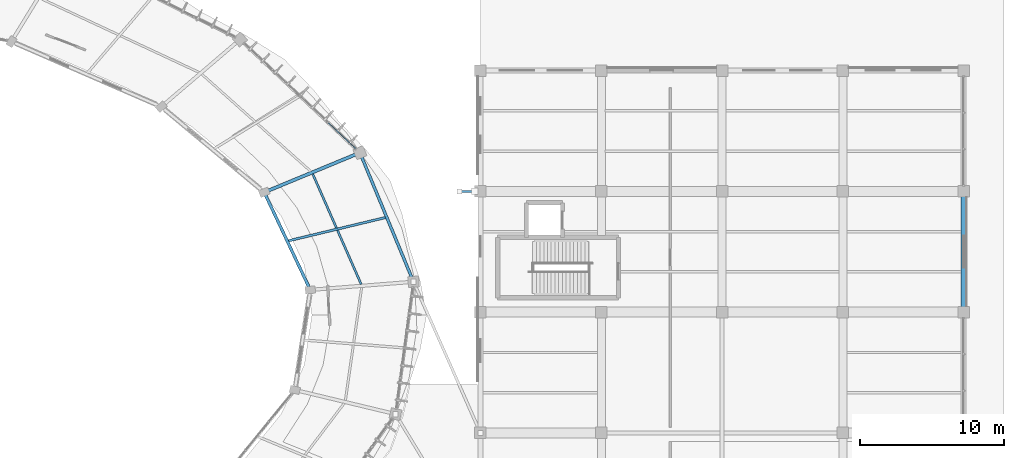
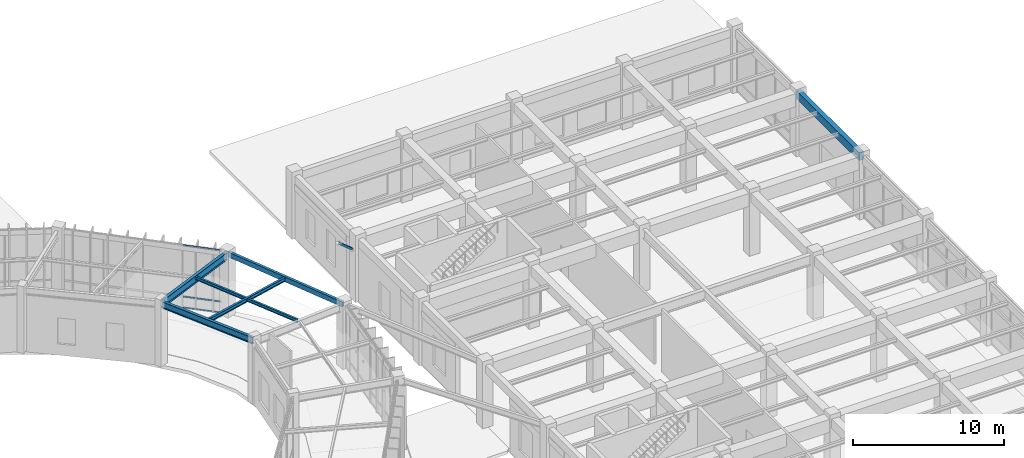
# One storey, part 106 of 157: 6 beams, 4 members, 1 element without a shape of its own.
"""IFC4 building model written with IfcOpenShell, lengths in metres."""

import ifcopenshell
import ifcopenshell.guid

model = None  # the IFC model being written
_history = None  # IfcOwnerHistory: only IFC2X3 demands one
_inside = {}  # id of a spatial element -> (the spatial element, [elements in it])
_under = {}  # id of a project, library or spatial element -> (it, [spatial elements below it])
_declared = {}  # id of a project -> (the project, [libraries it declares])
_typed = {}  # id of a type object -> (the type object, [elements of that type])
_made_of = {}  # id of a material, layer set ... -> (it, [elements and type objects made of it])


def new_model(schema):
    """Start an empty IFC model of exactly this schema.

    Asked for "IFC4X3", IfcOpenShell would pick the latest addendum, in which some entities
    have other attributes; the version numbers below select the first issue.
    IFC2X3 requires an IfcOwnerHistory on every rooted entity: one is made here for all.
    """
    global model, _history
    if schema == "IFC4X3":
        model = ifcopenshell.file(schema_version=(4, 3, 0, 0))
    else:
        model = ifcopenshell.file(schema=schema)
    _inside.clear()
    _under.clear()
    _declared.clear()
    _typed.clear()
    _made_of.clear()
    _history = None
    if model.schema == "IFC2X3":
        org = make("IfcOrganization", Name="unknown")
        user = make(
            "IfcPersonAndOrganization",
            ThePerson=make("IfcPerson", FamilyName="unknown"),
            TheOrganization=org,
        )
        app = make(
            "IfcApplication",
            ApplicationDeveloper=org,
            Version="unknown",
            ApplicationFullName="unknown",
            ApplicationIdentifier="unknown",
        )
        _history = make(
            "IfcOwnerHistory",
            OwningUser=user,
            OwningApplication=app,
            ChangeAction="ADDED",
            CreationDate=0,
        )
    return model


def make(cls, **values):
    """One entity of the class cls with the attributes given. An attribute that is None is left unset."""
    return model.create_entity(
        cls, **{name: value for name, value in values.items() if value is not None}
    )


def rooted(cls, **values):
    """An entity with a GlobalId (a new one), such as an element, a storey or a relation."""
    return make(cls, GlobalId=ifcopenshell.guid.new(), OwnerHistory=_history, **values)


def si_unit(unit_type, name, prefix=None):
    """IfcSIUnit, for example si_unit("LENGTHUNIT", "METRE", prefix="MILLI")."""
    return make("IfcSIUnit", UnitType=unit_type, Prefix=prefix, Name=name)


def assignment(units):
    """IfcUnitAssignment: the units of a project."""
    return None if units is None else make("IfcUnitAssignment", Units=units)


def point(xyz):
    """IfcCartesianPoint."""
    return None if xyz is None else make("IfcCartesianPoint", Coordinates=xyz)


def direction(xyz):
    """IfcDirection."""
    return None if xyz is None else make("IfcDirection", DirectionRatios=xyz)


def frame(location, z_axis=None, x_axis=None):
    """IfcAxis2Placement3D, a coordinate frame: its origin and axes. An axis left out is left unset."""
    return make(
        "IfcAxis2Placement3D",
        Location=point(location),
        Axis=direction(z_axis),
        RefDirection=direction(x_axis),
    )


def frame_2d(location, x_axis=None):
    """IfcAxis2Placement2D, a coordinate frame in the plane: its origin and x axis."""
    return make(
        "IfcAxis2Placement2D", Location=point(location), RefDirection=direction(x_axis)
    )


def origin():
    """The frame at (0, 0, 0) with its axes left unset."""
    return frame((0.0, 0.0, 0.0))


def origin_2d():
    """The frame at (0, 0) in the plane with its x axis left unset."""
    return frame_2d((0.0, 0.0))


def place(relative_to, where):
    """IfcLocalPlacement: puts the frame where relative to a parent placement (None: the world)."""
    return make(
        "IfcLocalPlacement", PlacementRelTo=relative_to, RelativePlacement=where
    )


def context(
    kind, dimensions, precision=None, world=None, true_north=None, identifier=None
):
    """IfcGeometricRepresentationContext, for example the 3D "Model" context."""
    return make(
        "IfcGeometricRepresentationContext",
        ContextIdentifier=identifier,
        ContextType=kind,
        CoordinateSpaceDimension=dimensions,
        Precision=precision,
        WorldCoordinateSystem=world,
        TrueNorth=true_north,
    )


def subcontext(parent, identifier, kind, view, scale=None):
    """IfcGeometricRepresentationSubContext, for example "Body" below "Model"."""
    return make(
        "IfcGeometricRepresentationSubContext",
        ContextIdentifier=identifier,
        ContextType=kind,
        ParentContext=parent,
        TargetScale=scale,
        TargetView=view,
    )


def project(units=None, contexts=None):
    """IfcProject with its units and contexts."""
    return rooted(
        "IfcProject",
        Name="project",
        RepresentationContexts=contexts,
        UnitsInContext=assignment(units),
    )


def spatial(cls, under=None, at=None, **own):
    """A site, building, storey or space (cls), placed at a placement, below another one or the project."""
    s = rooted(cls, ObjectPlacement=at, **own)
    if under is not None:
        _under.setdefault(under.id(), (under, []))[1].append(s)
    return s


def profile(cls, at=None, kind="AREA", **sizes):
    """A parametric profile (cls). Its sizes go by their IFC names, for example OverallWidth=200.0."""
    return make(cls, ProfileType=kind, Position=at, **sizes)


def rectangle(**sizes):
    """IfcRectangleProfileDef."""
    return profile("IfcRectangleProfileDef", **sizes)


def hollow_rectangle(**sizes):
    """IfcRectangleHollowProfileDef."""
    return profile("IfcRectangleHollowProfileDef", **sizes)


def i_section(**sizes):
    """IfcIShapeProfileDef."""
    return profile("IfcIShapeProfileDef", **sizes)


def extrude(swept, where, along, depth):
    """IfcExtrudedAreaSolid: the profile swept, set in the frame where, extruded along a direction by depth."""
    return make(
        "IfcExtrudedAreaSolid",
        SweptArea=swept,
        Position=where,
        ExtrudedDirection=direction(along),
        Depth=depth,
    )


def shape(context_of_items, identifier, shape_type, items):
    """IfcShapeRepresentation: the items that make up one representation, for example the "Body"."""
    return make(
        "IfcShapeRepresentation",
        ContextOfItems=context_of_items,
        RepresentationIdentifier=identifier,
        RepresentationType=shape_type,
        Items=items,
    )


def material(Name=None, Category=None):
    """IfcMaterial."""
    return make("IfcMaterial", Name=Name, Category=Category)


def material_profile(
    of_material, cross_section, Name=None, Category=None, Priority=None
):
    """IfcMaterialProfile: a cross section and its material."""
    return make(
        "IfcMaterialProfile",
        Name=Name,
        Material=of_material,
        Profile=cross_section,
        Priority=Priority,
        Category=Category,
    )


def profile_set(profiles, Name=None, composite=None):
    """IfcMaterialProfileSet."""
    return make(
        "IfcMaterialProfileSet",
        Name=Name,
        MaterialProfiles=profiles,
        CompositeProfile=composite,
    )


def made_of(thing, what):
    """Note that an element or type object is made of a material, layer set ...; save() writes the relation."""
    if what is not None:
        _made_of.setdefault(what.id(), (what, []))[1].append(thing)
    return thing


def type_object(cls, material=None, **own):
    """A type object (cls), such as IfcWallType, which elements share."""
    return made_of(rooted(cls, **own), material)


def element(
    cls,
    number,
    at=None,
    inside=None,
    cuts=None,
    type_object=None,
    material=None,
    context=None,
    identifier="Body",
    shape_type=None,
    held_by="IfcProductDefinitionShape",
    body=None,
    shapes=None,
    **own,
):
    """One element of the class cls, such as IfcWall. Its Tag is "e" and its number.

    at: its placement. inside: the storey or other place that contains it. cuts: it is an
    opening in that element (IfcRelVoidsElement). A single representation is given by context,
    identifier, shape_type and body (its items); several are given by shapes. held_by: the class
    of the entity that holds the representations. save() writes the other relations.
    """
    e = rooted(cls, Tag="e%d" % number, ObjectPlacement=at, **own)
    if body is not None:
        shapes = [shape(context, identifier, shape_type, body)]
    if shapes is not None:
        e.Representation = make(held_by, Representations=shapes)
    if inside is not None:
        _inside.setdefault(inside.id(), (inside, []))[1].append(e)
    if cuts is not None:
        rooted(
            "IfcRelVoidsElement", RelatingBuildingElement=cuts, RelatedOpeningElement=e
        )
    if type_object is not None:
        _typed.setdefault(type_object.id(), (type_object, []))[1].append(e)
    return made_of(e, material)


def aggregate(whole, parts):
    """IfcRelAggregates: a whole, such as a stair, and the parts it consists of."""
    return rooted("IfcRelAggregates", RelatingObject=whole, RelatedObjects=parts)


def save(model, path):
    """Write the relations noted so far, then the file.

    IfcRelAggregates (storeys below a building ...), IfcRelContainedInSpatialStructure (elements
    in a storey), IfcRelDefinesByType, IfcRelAssociatesMaterial and IfcRelDeclares: one each for
    every whole, place, type object, material and project.
    """
    for whole, parts in _under.values():
        aggregate(whole, parts)
    for where, things in _inside.values():
        rooted(
            "IfcRelContainedInSpatialStructure",
            RelatedElements=things,
            RelatingStructure=where,
        )
    for kind, things in _typed.values():
        rooted("IfcRelDefinesByType", RelatedObjects=things, RelatingType=kind)
    for what, things in _made_of.values():
        rooted("IfcRelAssociatesMaterial", RelatedObjects=things, RelatingMaterial=what)
    for by, libraries in _declared.values():
        rooted("IfcRelDeclares", RelatingContext=by, RelatedDefinitions=libraries)
    model.write(path)


model = new_model("IFC4")

# Units and contexts
model_context = context("Model", 3, precision=1e-05, world=origin(), true_north=direction((0.0, 1.0)))
body_context = subcontext(model_context, "Body", "Model", "MODEL_VIEW")
ifc_project = project(units=[si_unit("LENGTHUNIT", "METRE"), si_unit("AREAUNIT", "SQUARE_METRE"), si_unit("VOLUMEUNIT", "CUBIC_METRE"), si_unit("PLANEANGLEUNIT", "RADIAN"), si_unit("MASSUNIT", "GRAM", prefix="KILO"), si_unit("THERMODYNAMICTEMPERATUREUNIT", "KELVIN"), si_unit("POWERUNIT", "WATT")], contexts=[model_context])

# Site, building, storey
site_placement = place(None, origin())
site = spatial("IfcSite", under=ifc_project, at=site_placement, CompositionType="ELEMENT")
building_placement = place(site_placement, origin())
building = spatial("IfcBuilding", under=site, at=building_placement, Name="Darbajah Civic Hall", CompositionType="ELEMENT")
storey_placement = place(building_placement, origin())
storey = spatial("IfcBuildingStorey", under=building, at=storey_placement, Name="L00", CompositionType="ELEMENT", Elevation=0.0)

# Curtain wall, members
ifc_material_1 = material(Name="Anodised Bronze Aluminium and Low-E Glazing", Category="aluminium")
curtain_wall_type = type_object("IfcCurtainWallType", Name="Unitised Curtain Wall CW-01 10700x5100", PredefinedType="USERDEFINED", material=ifc_material_1)
curtain_wall_placement = place(storey_placement, origin())
curtain_wall = element("IfcCurtainWall", 1, at=curtain_wall_placement, inside=storey, type_object=curtain_wall_type, Name="L00 unitised curtain wall CW-V1O-L00-01", ObjectType="UNITISED CURTAIN WALL", PredefinedType="USERDEFINED")
ifc_material_2 = material(Name="Anodised Bronze Aluminium", Category="aluminium")
ifc_material_profile_1 = material_profile(ifc_material_2, hollow_rectangle(XDim=0.06005859375, YDim=0.1201171875, WallThickness=0.003173828125, at=origin_2d()), Name="ALU TRANSOM 60x120")
ifc_profile_set_1 = profile_set([ifc_material_profile_1], Name="Anodised Bronze Aluminium")
member_type_1 = type_object("IfcMemberType", Name="ALU TRANSOM 60x120", PredefinedType="USERDEFINED", material=ifc_profile_set_1)
member_1_placement = place(storey_placement, frame((135.918212890625, 101.3720703125, 0.06005859375), z_axis=(-0.727176706438, 0.686450316931, 0.0), x_axis=(-0.686450316931, -0.727176706438, 0.0)))
member_1 = element("IfcMember", 2, at=member_1_placement, type_object=member_type_1, Name="CW-V1O-L00-01 transom 1.1", ObjectType="TRANSOM", PredefinedType="USERDEFINED", context=body_context, shape_type="SweptSolid", body=[
    extrude(hollow_rectangle(XDim=0.06005859375, YDim=0.1201171875, WallThickness=0.003173828125, at=origin_2d()), origin(), (0.0, 0.0, 1.0), 2.607666015625),
])
member_2_placement = place(storey_placement, frame((135.918212890625, 101.3720703125, 0.949951171875), z_axis=(-0.727176706438, 0.686450316931, 0.0), x_axis=(-0.686450316931, -0.727176706438, 0.0)))
member_2 = element("IfcMember", 3, at=member_2_placement, type_object=member_type_1, Name="CW-V1O-L00-01 transom 1.2", ObjectType="TRANSOM", PredefinedType="USERDEFINED", context=body_context, shape_type="SweptSolid", body=[
    extrude(hollow_rectangle(XDim=0.06005859375, YDim=0.1201171875, WallThickness=0.003173828125, at=origin_2d()), origin(), (0.0, 0.0, 1.0), 2.607666015625),
])
member_3_placement = place(storey_placement, frame((135.918212890625, 101.3720703125, 5.06005859375), z_axis=(-0.727176706438, 0.686450316931, 0.0), x_axis=(-0.686450316931, -0.727176706438, 0.0)))
member_3 = element("IfcMember", 4, at=member_3_placement, type_object=member_type_1, Name="CW-V1O-L00-01 transom 1.3", ObjectType="TRANSOM", PredefinedType="USERDEFINED", context=body_context, shape_type="SweptSolid", body=[
    extrude(hollow_rectangle(XDim=0.06005859375, YDim=0.1201171875, WallThickness=0.003173828125, at=origin_2d()), origin(), (0.0, 0.0, 1.0), 2.607666015625),
])
aggregate(curtain_wall, [member_1, member_2, member_3])

# Beams
ifc_material_3 = material(Name="Concrete C45/55", Category="concrete")
ifc_material_profile_2 = material_profile(ifc_material_3, rectangle(XDim=0.35009765625, YDim=0.64990234375, at=origin_2d()), Name="RC SPANDREL 350x650")
ifc_profile_set_2 = profile_set([ifc_material_profile_2], Name="Concrete C45/55")
beam_type_1 = type_object("IfcBeamType", Name="RC SPANDREL 350x650", PredefinedType="SPANDREL", material=ifc_profile_set_2)
beam_1_placement = place(storey_placement, frame((178.199951171875, 90.080078125, 4.735107421875), z_axis=(0.0, 1.0, 0.0), x_axis=(-1.0, 0.0, 0.0)))
element("IfcBeam", 5, at=beam_1_placement, inside=storey, type_object=beam_type_1, Name="L00 beam SP-3565", PredefinedType="SPANDREL", context=body_context, shape_type="SweptSolid", body=[
    extrude(rectangle(XDim=0.35009765625, YDim=0.64990234375, at=origin_2d()), origin(), (0.0, 0.0, 1.0), 8.239990234375),
])
ifc_material_4 = material(Name="Steel S355JR", Category="steel")
ifc_material_profile_3 = material_profile(ifc_material_4, hollow_rectangle(XDim=0.199951171875, YDim=0.39990234375, WallThickness=0.013916015625, at=origin_2d()), Name="RHS 400x200x14")
ifc_profile_set_3 = profile_set([ifc_material_profile_3], Name="Steel S355JR")
beam_type_2 = type_object("IfcBeamType", Name="RHS 400x200x14", PredefinedType="SPANDREL", material=ifc_profile_set_3)
beam_2_placement = place(storey_placement, frame((139.912109375, 92.1884765625, 4.919921875), z_axis=(-0.38333984527, 0.923607364104, 0.0), x_axis=(-0.923607364104, -0.38333984527, 0.0)))
element("IfcBeam", 6, at=beam_2_placement, inside=storey, type_object=beam_type_2, Name="L00 beam SP-RHS400", PredefinedType="SPANDREL", context=body_context, shape_type="SweptSolid", body=[
    extrude(hollow_rectangle(XDim=0.199951171875, YDim=0.39990234375, WallThickness=0.013916015625, at=origin_2d()), origin(), (0.0, 0.0, 1.0), 9.556884765625),
])

# Member
ifc_material_profile_4 = material_profile(ifc_material_4, hollow_rectangle(XDim=0.14990234375, YDim=0.14990234375, WallThickness=0.008056640625, at=origin_2d()), Name="SHS 150x150x8")
ifc_profile_set_4 = profile_set([ifc_material_profile_4], Name="Steel S355JR")
member_type_2 = type_object("IfcMemberType", Name="SHS 150x150x8", PredefinedType="STRUT", material=ifc_profile_set_4)
member_4_placement = place(storey_placement, frame((144.19189453125, 98.39990234375, 4.10009765625), z_axis=(-0.774935227591, 0.0, 0.632040657742), x_axis=(0.0, -1.0, 0.0)))
element("IfcMember", 7, at=member_4_placement, inside=storey, type_object=member_type_2, Name="L00 chhajja canopy raking strut 12", PredefinedType="STRUT", context=body_context, shape_type="SweptSolid", body=[
    extrude(hollow_rectangle(XDim=0.14990234375, YDim=0.14990234375, WallThickness=0.008056640625, at=origin_2d()), origin(), (0.0, 0.0, 1.0), 1.3447265625),
])

# Beams
ifc_material_profile_5 = material_profile(ifc_material_4, i_section(OverallWidth=0.146484375, OverallDepth=0.256103515625, WebThickness=0.00634765625, FlangeThickness=0.010986328125, FilletRadius=0.007568359375, at=origin_2d()), Name="UB 254x146x37")
ifc_profile_set_5 = profile_set([ifc_material_profile_5], Name="Steel S355JR")
beam_type_3 = type_object("IfcBeamType", Name="UB 254x146x37", PredefinedType="JOIST", material=ifc_profile_set_5)
beam_3_placement = place(storey_placement, frame((136.30712890625, 91.938232421875, 4.991943359375), z_axis=(-0.402231491777, 0.915537998678, 0.0), x_axis=(-0.915537998678, -0.402231491777, 0.0)))
element("IfcBeam", 8, at=beam_3_placement, inside=storey, type_object=beam_type_3, Name="L00 beam SJ-254", PredefinedType="JOIST", context=body_context, shape_type="SweptSolid", body=[
    extrude(i_section(OverallWidth=0.146484375, OverallDepth=0.256103515625, WebThickness=0.00634765625, FlangeThickness=0.010986328125, FilletRadius=0.007568359375, at=origin_2d()), origin(), (0.0, 0.0, 1.0), 8.374267578125),
])
ifc_material_profile_6 = material_profile(ifc_material_4, i_section(OverallWidth=0.165771484375, OverallDepth=0.306640625, WebThickness=0.006591796875, FlangeThickness=0.01171875, FilletRadius=0.0087890625, at=origin_2d()), Name="UB 305x165x46")
ifc_profile_set_6 = profile_set([ifc_material_profile_6], Name="Steel S355JR")
beam_type_4 = type_object("IfcBeamType", Name="UB 305x165x46", PredefinedType="JOIST", material=ifc_profile_set_6)
beam_4_placement = place(storey_placement, frame((131.2685546875, 94.96630859375, 4.966796875), z_axis=(0.972369643286, 0.233446518106, 0.0), x_axis=(-0.233446518106, 0.972369643286, 0.0)))
element("IfcBeam", 9, at=beam_4_placement, inside=storey, type_object=beam_type_4, Name="L00 beam SJ-305", PredefinedType="JOIST", context=body_context, shape_type="SweptSolid", body=[
    extrude(i_section(OverallWidth=0.165771484375, OverallDepth=0.306640625, WebThickness=0.006591796875, FlangeThickness=0.01171875, FilletRadius=0.0087890625, at=origin_2d()), origin(), (0.0, 0.0, 1.0), 6.9033203125),
])
ifc_material_profile_7 = material_profile(ifc_material_4, i_section(OverallWidth=0.209228515625, OverallDepth=0.533203125, WebThickness=0.010009765625, FlangeThickness=0.015625, FilletRadius=0.0126953125, at=origin_2d()), Name="UB 533x210x92")
ifc_profile_set_7 = profile_set([ifc_material_profile_7], Name="Steel S355JR")
beam_type_5 = type_object("IfcBeamType", Name="UB 533x210x92", PredefinedType="BEAM", material=ifc_profile_set_7)
beam_5_placement = place(storey_placement, frame((132.73095703125, 91.6220703125, 4.853515625), z_axis=(-0.426514469485, 0.904480739054, 0.0), x_axis=(-0.904480739054, -0.426514469485, 0.0)))
element("IfcBeam", 10, at=beam_5_placement, inside=storey, type_object=beam_type_5, Name="L00 beam SB-533", PredefinedType="BEAM", context=body_context, shape_type="SweptSolid", body=[
    extrude(i_section(OverallWidth=0.209228515625, OverallDepth=0.533203125, WebThickness=0.010009765625, FlangeThickness=0.015625, FilletRadius=0.0126953125, at=origin_2d()), origin(), (0.0, 0.0, 1.0), 7.340576171875),
])
ifc_material_profile_8 = material_profile(ifc_material_4, i_section(OverallWidth=0.228271484375, OverallDepth=0.607666015625, WebThickness=0.010986328125, FlangeThickness=0.017333984375, FilletRadius=0.0126953125, at=origin_2d()), Name="UB 610x229x113")
ifc_profile_set_8 = profile_set([ifc_material_profile_8], Name="Steel S355JR")
beam_type_6 = type_object("IfcBeamType", Name="UB 610x229x113", PredefinedType="BEAM", material=ifc_profile_set_8)
beam_6_placement = place(storey_placement, frame((129.639892578125, 98.364501953125, 4.816162109375), z_axis=(0.923880311259, 0.382681552297, 0.0), x_axis=(-0.382681552297, 0.923880311259, 0.0)))
element("IfcBeam", 11, at=beam_6_placement, inside=storey, type_object=beam_type_6, Name="L00 beam SB-610", PredefinedType="BEAM", context=body_context, shape_type="SweptSolid", body=[
    extrude(i_section(OverallWidth=0.228271484375, OverallDepth=0.607666015625, WebThickness=0.010986328125, FlangeThickness=0.017333984375, FilletRadius=0.0126953125, at=origin_2d()), origin(), (0.0, 0.0, 1.0), 7.0400390625),
])

save(model, "model.ifc")
